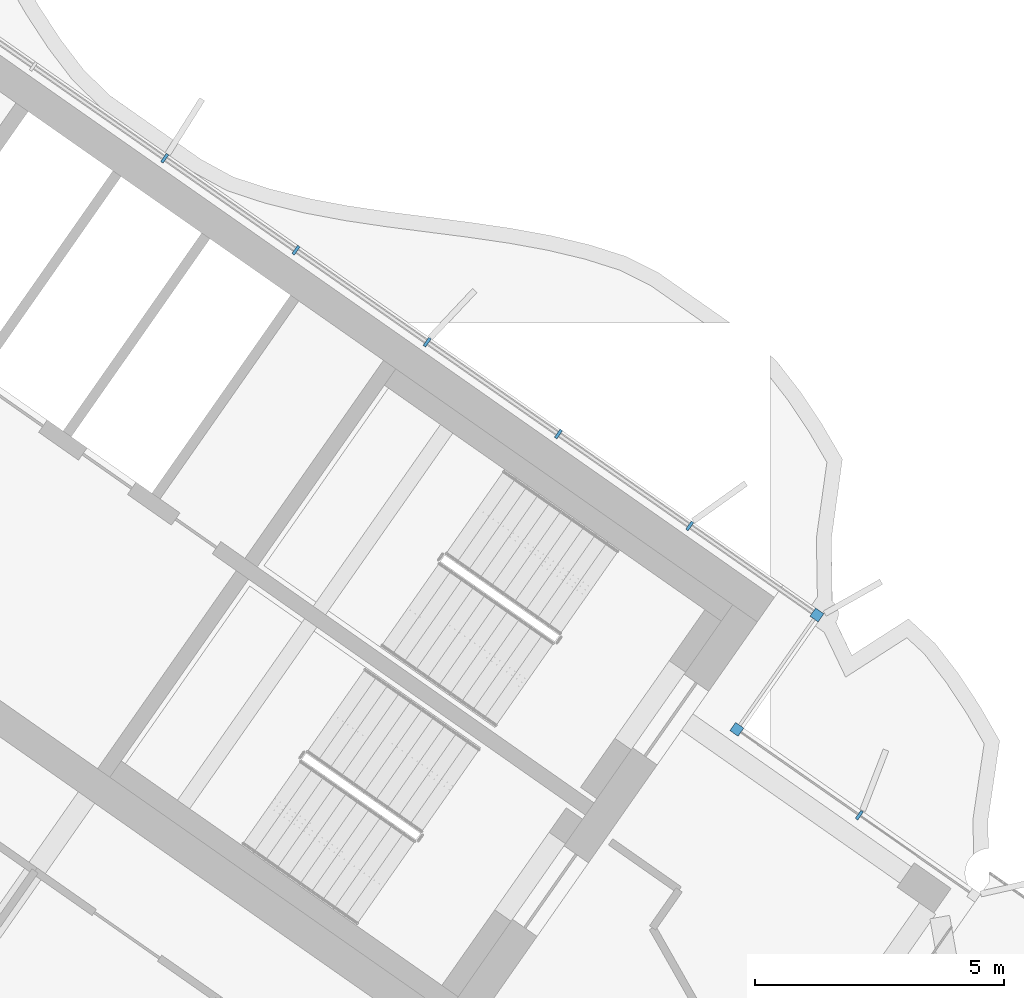
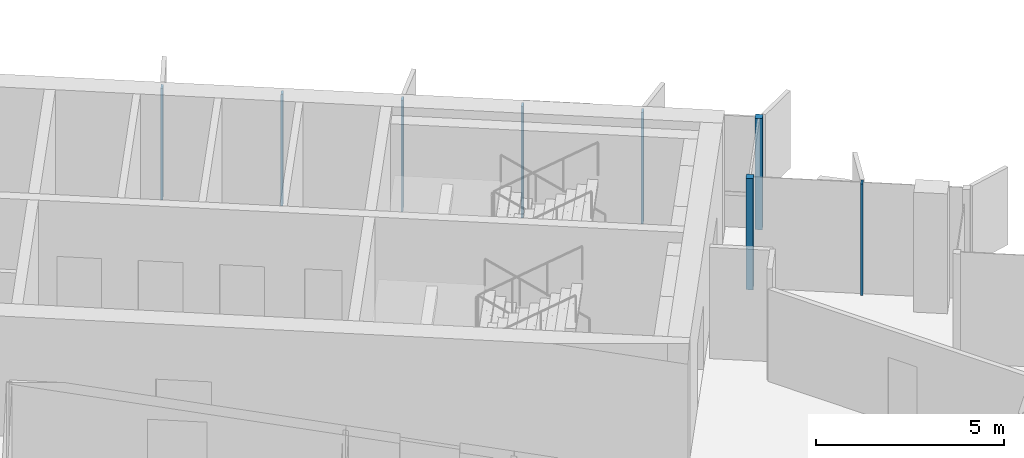
# One storey, part 6 of 21: 8 members, 2 elements without a shape of their own.
"""IFC4 building model written with IfcOpenShell, lengths in metres."""

from ifc_helpers import new_model, si_unit, direction, frame, origin, origin_2d, place, context, subcontext, project, spatial, rectangle, extrude, material, material_profile, profile_set, type_object, element, aggregate, save


model = new_model("IFC4")

# Units and contexts
model_context = context("Model", 3, precision=1e-05, world=origin(), true_north=direction((0.0, 1.0)))
body_context = subcontext(model_context, "Body", "Model", "MODEL_VIEW")
ifc_project = project(units=[si_unit("LENGTHUNIT", "METRE"), si_unit("AREAUNIT", "SQUARE_METRE"), si_unit("VOLUMEUNIT", "CUBIC_METRE"), si_unit("PLANEANGLEUNIT", "RADIAN"), si_unit("MASSUNIT", "GRAM", prefix="KILO")], contexts=[model_context])

# Site, building, storey
site_placement = place(None, origin())
site = spatial("IfcSite", under=ifc_project, at=site_placement, CompositionType="ELEMENT")
building_placement = place(site_placement, origin())
building = spatial("IfcBuilding", under=site, at=building_placement, Name="Tel Ilan Convention Tower", CompositionType="ELEMENT")
storey_placement = place(building_placement, frame((0.0, 0.0, 225.39990234375)))
storey = spatial("IfcBuildingStorey", under=building, at=storey_placement, Name="L52", CompositionType="ELEMENT", Elevation=225.39990234375)

# Curtain wall, member
ifc_material_1 = material(Name="Aluminium, bronze anodised", Category="aluminium")
curtain_wall_type_1 = type_object("IfcCurtainWallType", Name="CW5 STICK CURTAIN WALL, UPPER OFFICE LOW-IRON TINTED GLASS", PredefinedType="NOTDEFINED", material=ifc_material_1)
curtain_wall_1_placement = place(storey_placement, origin())
curtain_wall_1 = element("IfcCurtainWall", 1, at=curtain_wall_1_placement, inside=storey, type_object=curtain_wall_type_1, Name="Curtain wall CW5-41.02", PredefinedType="NOTDEFINED")
ifc_material_2 = material(Name="Aluminium, bronze anodised", Category="aluminium")
ifc_material_profile_1 = material_profile(ifc_material_2, rectangle(XDim=0.199951171875, YDim=0.199951171875, at=origin_2d()), Name="CW CORNER MULLION 200x200")
ifc_profile_set_1 = profile_set([ifc_material_profile_1], Name="Aluminium, bronze anodised")
member_type_1 = type_object("IfcMemberType", Name="CW CORNER MULLION 200x200", PredefinedType="MULLION", material=ifc_profile_set_1)
member_1_placement = place(storey_placement, frame((27.213623046875, -9.77734375, 0.0), z_axis=(0.0, 0.0, 1.0), x_axis=(-0.819152044289, 0.573576436351, 0.0)))
member_1 = element("IfcMember", 2, at=member_1_placement, type_object=member_type_1, Name="Corner mullion", PredefinedType="MULLION", context=body_context, shape_type="SweptSolid", body=[
    extrude(rectangle(XDim=0.199951171875, YDim=0.199951171875, at=origin_2d()), origin(), (0.0, 0.0, 1.0), 3.6201171875),
])

ifc_material_3 = material(Name="Aluminium, bronze anodised", Category="aluminium")
curtain_wall_type_2 = type_object("IfcCurtainWallType", Name="CW2 STICK CURTAIN WALL, SPANDREL PANELS", PredefinedType="NOTDEFINED", material=ifc_material_3)
curtain_wall_2_placement = place(storey_placement, origin())
curtain_wall_2 = element("IfcCurtainWall", 3, at=curtain_wall_2_placement, inside=storey, type_object=curtain_wall_type_2, Name="Curtain wall CW2-41.03", PredefinedType="NOTDEFINED")
member_2_placement = place(storey_placement, frame((28.819580078125, -7.483642578125, 0.0), z_axis=(0.0, 0.0, 1.0), x_axis=(0.573576436351, 0.819152044289, 0.0)))
member_2 = element("IfcMember", 4, at=member_2_placement, type_object=member_type_1, Name="Corner mullion", PredefinedType="MULLION", context=body_context, shape_type="SweptSolid", body=[
    extrude(rectangle(XDim=0.199951171875, YDim=0.199951171875, at=origin_2d()), origin(), (0.0, 0.0, 1.0), 3.6201171875),
])

# Member
ifc_material_4 = material(Name="Aluminium, bronze anodised", Category="aluminium")
ifc_material_profile_2 = material_profile(ifc_material_4, rectangle(XDim=0.06005859375, YDim=0.199951171875, at=origin_2d()), Name="CW MULLION 60x200")
ifc_profile_set_2 = profile_set([ifc_material_profile_2], Name="Aluminium, bronze anodised")
member_type_2 = type_object("IfcMemberType", Name="CW MULLION 60x200", PredefinedType="MULLION", material=ifc_profile_set_2)
member_3_placement = place(storey_placement, frame((29.6708984375, -11.498046875, 0.0), z_axis=(0.0, 0.0, 1.0), x_axis=(-0.819152044289, 0.573576436351, 0.0)))
member_3 = element("IfcMember", 5, at=member_3_placement, type_object=member_type_2, Name="Mullion", PredefinedType="MULLION", context=body_context, shape_type="SweptSolid", body=[
    extrude(rectangle(XDim=0.06005859375, YDim=0.199951171875, at=origin_2d()), origin(), (0.0, 0.0, 1.0), 3.6201171875),
])

aggregate(curtain_wall_1, [member_3, member_1])

member_4_placement = place(storey_placement, frame((26.268798828125, -5.697509765625, 0.0), z_axis=(0.0, 0.0, 1.0), x_axis=(-0.819152044289, 0.573576436351, 0.0)))
member_4 = element("IfcMember", 6, at=member_4_placement, type_object=member_type_2, Name="Mullion", PredefinedType="MULLION", context=body_context, shape_type="SweptSolid", body=[
    extrude(rectangle(XDim=0.06005859375, YDim=0.199951171875, at=origin_2d()), origin(), (0.0, 0.0, 1.0), 3.6201171875),
])

member_5_placement = place(storey_placement, frame((23.63623046875, -3.854248046875, 0.0), z_axis=(0.0, 0.0, 1.0), x_axis=(-0.819152044289, 0.573576436351, 0.0)))
member_5 = element("IfcMember", 7, at=member_5_placement, type_object=member_type_2, Name="Mullion", PredefinedType="MULLION", context=body_context, shape_type="SweptSolid", body=[
    extrude(rectangle(XDim=0.06005859375, YDim=0.199951171875, at=origin_2d()), origin(), (0.0, 0.0, 1.0), 3.6201171875),
])

member_6_placement = place(storey_placement, frame((21.003662109375, -2.0107421875, 0.0), z_axis=(0.0, 0.0, 1.0), x_axis=(-0.819152044289, 0.573576436351, 0.0)))
member_6 = element("IfcMember", 8, at=member_6_placement, type_object=member_type_2, Name="Mullion", PredefinedType="MULLION", context=body_context, shape_type="SweptSolid", body=[
    extrude(rectangle(XDim=0.06005859375, YDim=0.199951171875, at=origin_2d()), origin(), (0.0, 0.0, 1.0), 3.6201171875),
])

member_7_placement = place(storey_placement, frame((18.37109375, -0.16748046875, 0.0), z_axis=(0.0, 0.0, 1.0), x_axis=(-0.819152044289, 0.573576436351, 0.0)))
member_7 = element("IfcMember", 9, at=member_7_placement, type_object=member_type_2, Name="Mullion", PredefinedType="MULLION", context=body_context, shape_type="SweptSolid", body=[
    extrude(rectangle(XDim=0.06005859375, YDim=0.199951171875, at=origin_2d()), origin(), (0.0, 0.0, 1.0), 3.6201171875),
])

member_8_placement = place(storey_placement, frame((15.73828125, 1.676025390625, 0.0), z_axis=(0.0, 0.0, 1.0), x_axis=(-0.819152044289, 0.573576436351, 0.0)))
member_8 = element("IfcMember", 10, at=member_8_placement, type_object=member_type_2, Name="Mullion", PredefinedType="MULLION", context=body_context, shape_type="SweptSolid", body=[
    extrude(rectangle(XDim=0.06005859375, YDim=0.199951171875, at=origin_2d()), origin(), (0.0, 0.0, 1.0), 3.6201171875),
])

aggregate(curtain_wall_2, [member_2, member_4, member_5, member_6, member_7, member_8])

save(model, "model.ifc")
